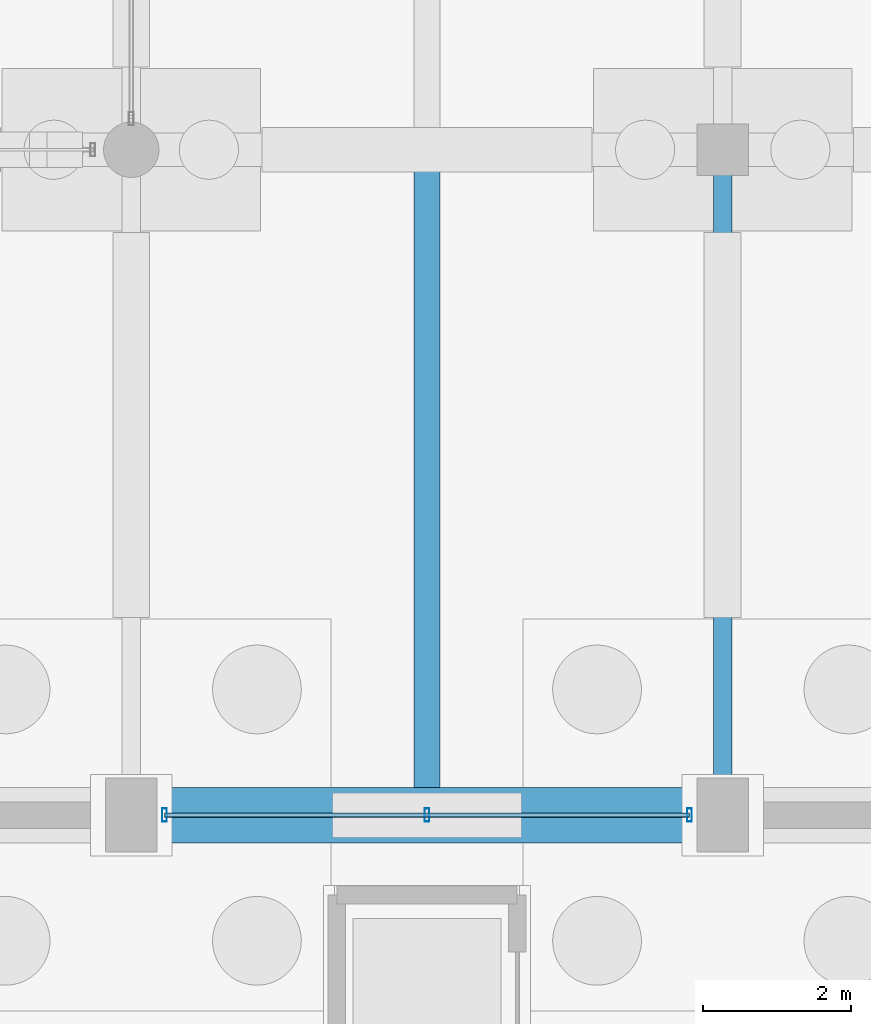
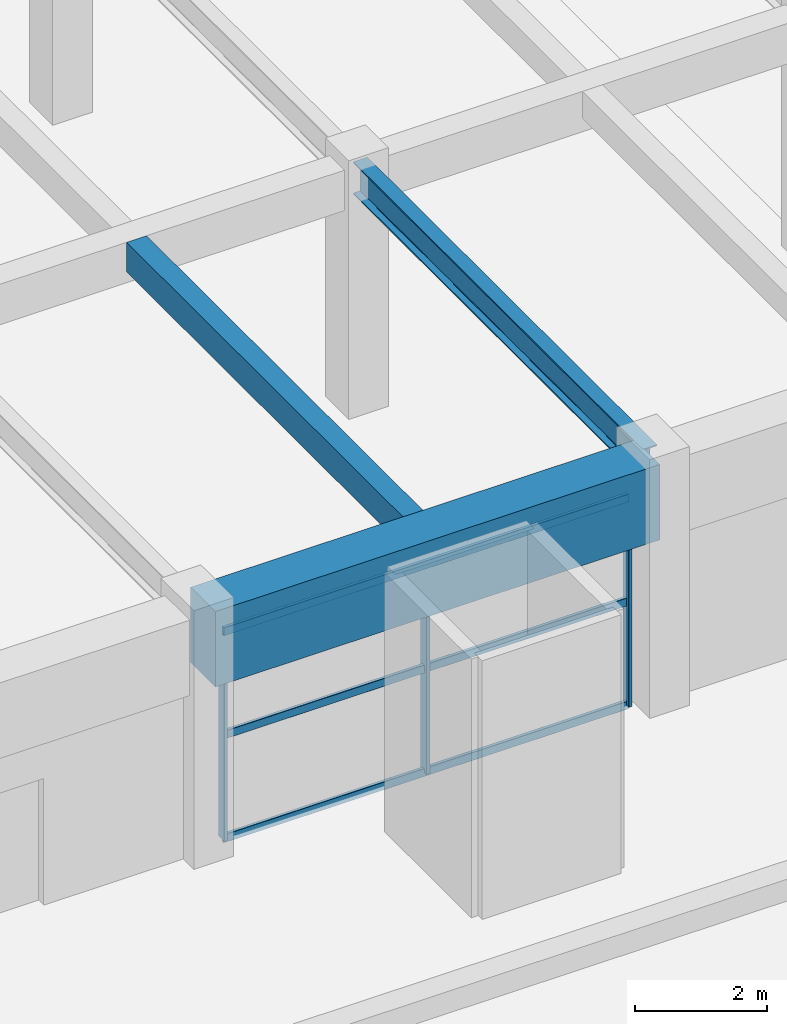
# One storey, part 63 of 147: 6 members, 3 beams, 1 element without a shape of its own.
"""IFC4 building model written with IfcOpenShell, lengths in metres."""

from ifc_helpers import new_model, si_unit, direction, frame, origin, origin_2d, place, context, subcontext, project, spatial, rectangle, hollow_rectangle, i_section, extrude, material, material_profile, profile_set, type_object, element, aggregate, save


model = new_model("IFC4")

# Units and contexts
model_context = context("Model", 3, precision=1e-05, world=origin(), true_north=direction((0.0, 1.0)))
body_context = subcontext(model_context, "Body", "Model", "MODEL_VIEW")
ifc_project = project(units=[si_unit("LENGTHUNIT", "METRE"), si_unit("AREAUNIT", "SQUARE_METRE"), si_unit("VOLUMEUNIT", "CUBIC_METRE"), si_unit("PLANEANGLEUNIT", "RADIAN"), si_unit("MASSUNIT", "GRAM", prefix="KILO")], contexts=[model_context])

# Site, building, storey
site_placement = place(None, origin())
site = spatial("IfcSite", under=ifc_project, at=site_placement, CompositionType="ELEMENT")
building_placement = place(site_placement, origin())
building = spatial("IfcBuilding", under=site, at=building_placement, Name="Varnabhumi Central Station", CompositionType="ELEMENT")
storey_placement = place(building_placement, origin())
storey = spatial("IfcBuildingStorey", under=building, at=storey_placement, Name="L00", CompositionType="ELEMENT", Elevation=0.0)

# Beams
ifc_material_1 = material(Name="Concrete M50", Category="concrete")
ifc_material_profile_1 = material_profile(ifc_material_1, rectangle(XDim=0.75, YDim=1.39990234375, at=origin_2d()), Name="Concrete M50", Category="concrete")
ifc_profile_set_1 = profile_set([ifc_material_profile_1], Name="Concrete M50")
beam_type_1 = type_object("IfcBeamType", Name="BM-RC-1400x750", PredefinedType="BEAM", material=ifc_profile_set_1)
beam_1_placement = place(storey_placement, frame((80.10009765625, 80.0, 3.85009765625), z_axis=(1.0, 0.0, 0.0), x_axis=(0.0, 1.0, 0.0)))
element("IfcBeam", 1, at=beam_1_placement, inside=storey, type_object=beam_type_1, Name="Beam L00-K:11-12", PredefinedType="BEAM", context=body_context, shape_type="SweptSolid", body=[
    extrude(rectangle(XDim=0.75, YDim=1.39990234375, at=origin_2d()), origin(), (0.0, 0.0, 1.0), 7.7998046875),
])
ifc_material_2 = material(Name="Concrete M40", Category="concrete")
ifc_material_profile_2 = material_profile(ifc_material_2, rectangle(XDim=0.35009765625, YDim=0.550048828125, at=origin_2d()), Name="Concrete M40", Category="concrete")
ifc_profile_set_2 = profile_set([ifc_material_profile_2], Name="Concrete M40")
beam_type_2 = type_object("IfcBeamType", Name="BM-RC-350x550", PredefinedType="JOIST", material=ifc_profile_set_2)
beam_2_placement = place(storey_placement, frame((84.0, 80.375, 4.27490234375), z_axis=(0.0, 1.0, 0.0), x_axis=(-1.0, 0.0, 0.0)))
element("IfcBeam", 2, at=beam_2_placement, inside=storey, type_object=beam_type_2, Name="Secondary Joist L00-11/12:K-L", PredefinedType="JOIST", context=body_context, shape_type="SweptSolid", body=[
    extrude(rectangle(XDim=0.35009765625, YDim=0.550048828125, at=origin_2d()), origin(), (0.0, 0.0, 1.0), 8.39990234375),
])
ifc_material_3 = material(Name="Structural steel E350", Category="steel")
ifc_material_profile_3 = material_profile(ifc_material_3, i_section(OverallWidth=0.25, OverallDepth=0.60009765625, WebThickness=0.01171875, FlangeThickness=0.023681640625, FilletRadius=0.01708984375, at=origin_2d()), Name="Structural steel E350", Category="steel")
ifc_profile_set_3 = profile_set([ifc_material_profile_3], Name="Structural steel E350")
beam_type_3 = type_object("IfcBeamType", Name="BM-SEC-ISWB600", PredefinedType="BEAM", material=ifc_profile_set_3)
beam_3_placement = place(storey_placement, frame((88.0, 80.10009765625, 4.25), z_axis=(0.0, 1.0, 0.0), x_axis=(-1.0, 0.0, 0.0)))
element("IfcBeam", 3, at=beam_3_placement, inside=storey, type_object=beam_type_3, Name="Beam L00-12:K-L", PredefinedType="BEAM", context=body_context, shape_type="SweptSolid", body=[
    extrude(i_section(OverallWidth=0.25, OverallDepth=0.60009765625, WebThickness=0.01171875, FlangeThickness=0.023681640625, FilletRadius=0.01708984375, at=origin_2d()), origin(), (0.0, 0.0, 1.0), 8.7998046875),
])

# Curtain wall, members
ifc_material_4 = material(Name="Anodised aluminium 6063-T6", Category="aluminium")
curtain_wall_type = type_object("IfcCurtainWallType", Name="CW-SPINE-SCREEN-L0", PredefinedType="NOTDEFINED", material=ifc_material_4)
curtain_wall_placement = place(storey_placement, origin())
curtain_wall = element("IfcCurtainWall", 4, at=curtain_wall_placement, inside=storey, type_object=curtain_wall_type, Name="Curtain Wall CW-NS010", PredefinedType="NOTDEFINED")
ifc_material_profile_4 = material_profile(ifc_material_4, hollow_rectangle(XDim=0.06494140625, YDim=0.179931640625, WallThickness=0.00390625, InnerFilletRadius=0.001953125, OuterFilletRadius=0.006103515625, at=origin_2d()), Name="Anodised aluminium 6063-T6", Category="aluminium")
ifc_profile_set_4 = profile_set([ifc_material_profile_4], Name="Anodised aluminium 6063-T6")
member_type_1 = type_object("IfcMemberType", Name="CW-MUL-180", PredefinedType="MULLION", material=ifc_profile_set_4)
member_1_placement = place(storey_placement, frame((80.449951171875, 80.0, 0.0), z_axis=(0.0, 0.0, 1.0), x_axis=(1.0, 0.0, 0.0)))
member_1 = element("IfcMember", 5, at=member_1_placement, type_object=member_type_1, Name="Curtain Wall Mullion CW-NS010-M1", PredefinedType="MULLION", context=body_context, shape_type="SweptSolid", body=[
    extrude(hollow_rectangle(XDim=0.06494140625, YDim=0.179931640625, WallThickness=0.00390625, InnerFilletRadius=0.001953125, OuterFilletRadius=0.006103515625, at=origin_2d()), origin(), (0.0, 0.0, 1.0), 3.840087890625),
])
member_2_placement = place(storey_placement, frame((84.0, 80.0, 0.0), z_axis=(0.0, 0.0, 1.0), x_axis=(1.0, 0.0, 0.0)))
member_2 = element("IfcMember", 6, at=member_2_placement, type_object=member_type_1, Name="Curtain Wall Mullion CW-NS010-M2", PredefinedType="MULLION", context=body_context, shape_type="SweptSolid", body=[
    extrude(hollow_rectangle(XDim=0.06494140625, YDim=0.179931640625, WallThickness=0.00390625, InnerFilletRadius=0.001953125, OuterFilletRadius=0.006103515625, at=origin_2d()), origin(), (0.0, 0.0, 1.0), 3.840087890625),
])
member_3_placement = place(storey_placement, frame((87.550048828125, 80.0, 0.0), z_axis=(0.0, 0.0, 1.0), x_axis=(1.0, 0.0, 0.0)))
member_3 = element("IfcMember", 7, at=member_3_placement, type_object=member_type_1, Name="Curtain Wall Mullion CW-NS010-M3", PredefinedType="MULLION", context=body_context, shape_type="SweptSolid", body=[
    extrude(hollow_rectangle(XDim=0.06494140625, YDim=0.179931640625, WallThickness=0.00390625, InnerFilletRadius=0.001953125, OuterFilletRadius=0.006103515625, at=origin_2d()), origin(), (0.0, 0.0, 1.0), 3.840087890625),
])
ifc_material_profile_5 = material_profile(ifc_material_4, hollow_rectangle(XDim=0.06005859375, YDim=0.14990234375, WallThickness=0.00390625, InnerFilletRadius=0.001953125, OuterFilletRadius=0.006103515625, at=origin_2d()), Name="Anodised aluminium 6063-T6", Category="aluminium")
ifc_profile_set_5 = profile_set([ifc_material_profile_5], Name="Anodised aluminium 6063-T6")
member_type_2 = type_object("IfcMemberType", Name="CW-TR-150", PredefinedType="USERDEFINED", material=ifc_profile_set_5)
member_4_placement = place(storey_placement, frame((80.449951171875, 80.0, 0.0), z_axis=(1.0, 0.0, 0.0), x_axis=(0.0, 1.0, 0.0)))
member_4 = element("IfcMember", 8, at=member_4_placement, type_object=member_type_2, Name="Curtain Wall Transom CW-NS010-T1", ObjectType="TRANSOM", PredefinedType="USERDEFINED", context=body_context, shape_type="SweptSolid", body=[
    extrude(hollow_rectangle(XDim=0.06005859375, YDim=0.14990234375, WallThickness=0.00390625, InnerFilletRadius=0.001953125, OuterFilletRadius=0.006103515625, at=origin_2d()), origin(), (0.0, 0.0, 1.0), 7.10009765625),
])
member_5_placement = place(storey_placement, frame((80.449951171875, 80.0, 1.919921875), z_axis=(1.0, 0.0, 0.0), x_axis=(0.0, 1.0, 0.0)))
member_5 = element("IfcMember", 9, at=member_5_placement, type_object=member_type_2, Name="Curtain Wall Transom CW-NS010-T2", ObjectType="TRANSOM", PredefinedType="USERDEFINED", context=body_context, shape_type="SweptSolid", body=[
    extrude(hollow_rectangle(XDim=0.06005859375, YDim=0.14990234375, WallThickness=0.00390625, InnerFilletRadius=0.001953125, OuterFilletRadius=0.006103515625, at=origin_2d()), origin(), (0.0, 0.0, 1.0), 7.10009765625),
])
member_6_placement = place(storey_placement, frame((80.449951171875, 80.0, 3.840087890625), z_axis=(1.0, 0.0, 0.0), x_axis=(0.0, 1.0, 0.0)))
member_6 = element("IfcMember", 10, at=member_6_placement, type_object=member_type_2, Name="Curtain Wall Transom CW-NS010-T3", ObjectType="TRANSOM", PredefinedType="USERDEFINED", context=body_context, shape_type="SweptSolid", body=[
    extrude(hollow_rectangle(XDim=0.06005859375, YDim=0.14990234375, WallThickness=0.00390625, InnerFilletRadius=0.001953125, OuterFilletRadius=0.006103515625, at=origin_2d()), origin(), (0.0, 0.0, 1.0), 7.10009765625),
])
aggregate(curtain_wall, [member_1, member_2, member_3, member_4, member_5, member_6])

save(model, "model.ifc")
